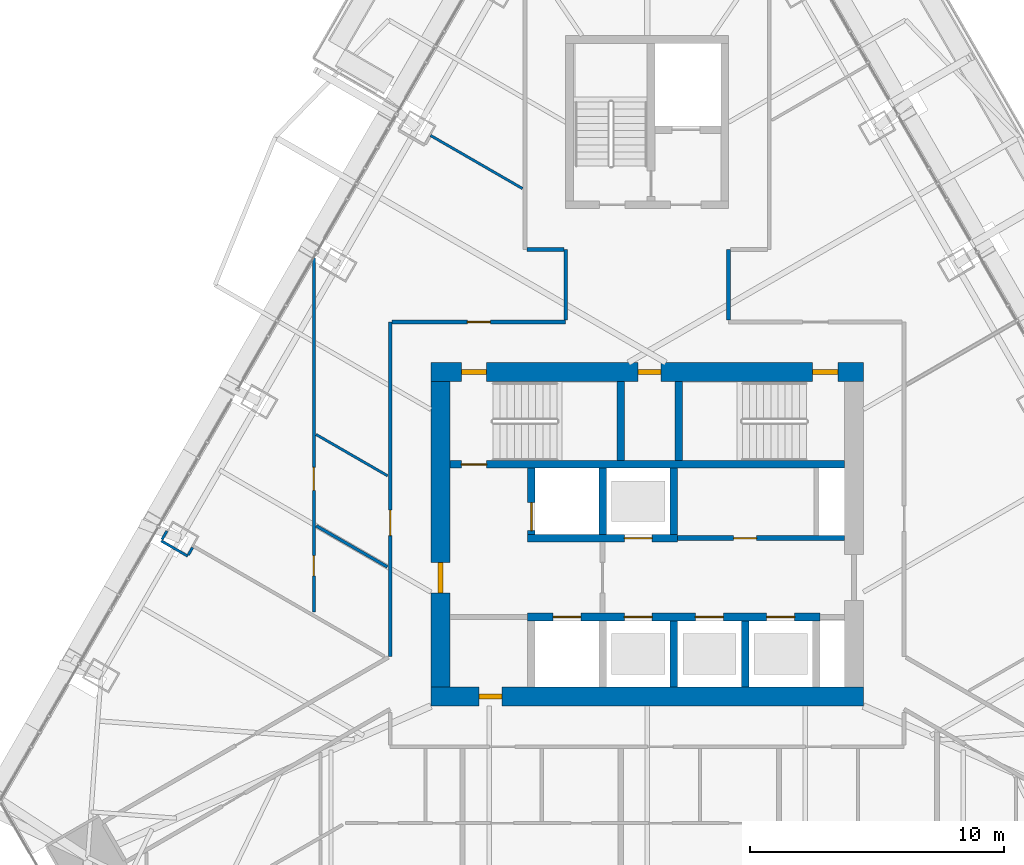
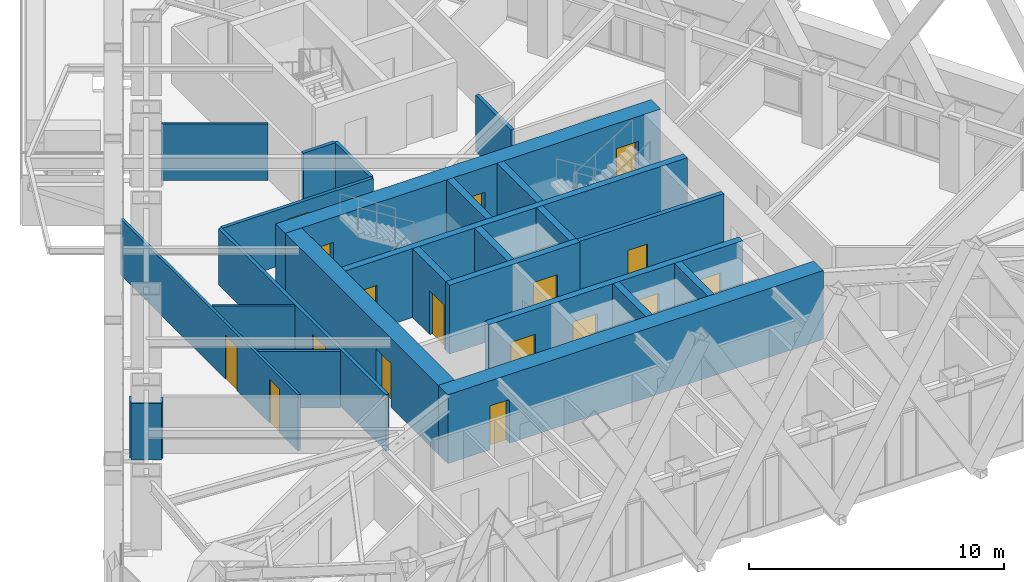
# One storey, part 18 of 23: 26 walls, 17 doors, 17 openings.
"""IFC4 building model written with IfcOpenShell, lengths in metres."""

from ifc_helpers import new_model, si_unit, direction, frame, frame_2d, origin, place, context, subcontext, project, spatial, rectangle, extrude, material, layer, layer_set, type_object, element, fill, save


model = new_model("IFC4")

# Units and contexts
model_context = context("Model", 3, precision=1e-05, world=origin(), true_north=direction((0.0, 1.0)))
body_context = subcontext(model_context, "Body", "Model", "MODEL_VIEW")
ifc_project = project(units=[si_unit("LENGTHUNIT", "METRE"), si_unit("AREAUNIT", "SQUARE_METRE"), si_unit("VOLUMEUNIT", "CUBIC_METRE"), si_unit("PLANEANGLEUNIT", "RADIAN"), si_unit("MASSUNIT", "GRAM", prefix="KILO")], contexts=[model_context])

# Site, building, storey
site_placement = place(None, origin())
site = spatial("IfcSite", under=ifc_project, at=site_placement, CompositionType="ELEMENT")
building_placement = place(site_placement, origin())
building = spatial("IfcBuilding", under=site, at=building_placement, Name="Firuza Gate Tower and Library", CompositionType="ELEMENT")
storey_placement = place(building_placement, frame((0.0, 0.0, 291.60009765625)))
storey = spatial("IfcBuildingStorey", under=building, at=storey_placement, Name="L70", CompositionType="ELEMENT", Elevation=291.60009765625)

# Wall, opening, door
ifc_material_1 = material(Name="Plasterboard on steel studs", Category="steel")
ifc_layer_1 = layer(ifc_material_1, 0.199951171875)
ifc_layer_set_1 = layer_set([ifc_layer_1], Name="Core partition 200 EI 120")
wall_type_1 = type_object("IfcWallType", Name="Core partition 200 EI 120", PredefinedType="PARTITIONING", material=ifc_layer_set_1)
wall_1_placement = place(storey_placement, frame((76.199951171875, 74.85009765625, 0.0), z_axis=(0.0, 0.0, 1.0), x_axis=(1.0, 0.0, 0.0)))
wall_1 = element("IfcWall", 1, at=wall_1_placement, inside=storey, type_object=wall_type_1, Name="Core partition L70 3", PredefinedType="PARTITIONING", context=body_context, shape_type="SweptSolid", body=[
    extrude(rectangle(XDim=6.550048828125, YDim=0.199951171875, at=frame_2d((3.27490234375, 0.0))), origin(), (0.0, 0.0, 1.0), 3.2998046875),
])
opening_1_placement = place(wall_1_placement, frame((2.199951171875, 0.0, 0.0)))
opening_1 = element("IfcOpeningElement", 2, at=opening_1_placement, cuts=wall_1, Name="Opening L70-K18", PredefinedType="OPENING", context=body_context, shape_type="SweptSolid", body=[
    extrude(rectangle(XDim=0.89990234375, YDim=2.10009765625, at=frame_2d((0.449951171875, 1.050048828125))), frame((0.0, 0.10986328125, 0.0), z_axis=(0.0, -1.0, 0.0), x_axis=(1.0, 0.0, 0.0)), (0.0, 0.0, 1.0), 0.219970703125),
])
ifc_material_2 = material(Name="Steel", Category="steel")
door_type_1 = type_object("IfcDoorType", Name="Fire door 900x2100 FD30S", OperationType="NOTDEFINED", PredefinedType="DOOR", material=ifc_material_2)
door_1_placement = place(opening_1_placement, origin())
door_1 = element("IfcDoor", 3, at=door_1_placement, inside=storey, type_object=door_type_1, Name="Door L70-K18", OperationType="SINGLE_SWING_LEFT", OverallHeight=2.10009765625, OverallWidth=0.89990234375, PredefinedType="DOOR", context=body_context, shape_type="SweptSolid", body=[
    extrude(rectangle(XDim=0.89990234375, YDim=2.10009765625, at=frame_2d((0.449951171875, 1.050048828125))), frame((0.0, 0.02490234375, 0.0), z_axis=(0.0, -1.0, 0.0), x_axis=(1.0, 0.0, 0.0)), (0.0, 0.0, 1.0), 0.050048828125),
])
fill(opening_1, door_1)

# Wall, openings, doors
ifc_material_3 = material(Name="Concrete C60/75", Category="concrete")
ifc_layer_2 = layer(ifc_material_3, 0.300048828125)
ifc_layer_set_2 = layer_set([ifc_layer_2], Name="Core wall 300 C60/75")
wall_type_2 = type_object("IfcWallType", Name="Core wall 300 C60/75", PredefinedType="SHEAR", material=ifc_layer_set_2)
wall_2_placement = place(storey_placement, frame((70.300048828125, 71.75, 0.0), z_axis=(0.0, 0.0, 1.0), x_axis=(1.0, 0.0, 0.0)))
wall_2 = element("IfcWall", 4, at=wall_2_placement, inside=storey, type_object=wall_type_2, Name="Core wall L70 5", PredefinedType="SHEAR", context=body_context, shape_type="SweptSolid", body=[
    extrude(rectangle(XDim=11.5, YDim=0.300048828125, at=frame_2d((5.75, 0.0))), origin(), (0.0, 0.0, 1.0), 3.2998046875),
])
opening_2_placement = place(wall_2_placement, frame((1.0, 0.0, 0.0)))
opening_2 = element("IfcOpeningElement", 5, at=opening_2_placement, cuts=wall_2, Name="Opening LD-FF1-L70", PredefinedType="OPENING", context=body_context, shape_type="SweptSolid", body=[
    extrude(rectangle(XDim=1.10009765625, YDim=2.10009765625, at=frame_2d((0.550048828125, 1.050048828125))), frame((0.0, 0.16015625, 0.0), z_axis=(0.0, -1.0, 0.0), x_axis=(1.0, 0.0, 0.0)), (0.0, 0.0, 1.0), 0.320068359375),
])
opening_3_placement = place(wall_2_placement, frame((3.800048828125, 0.0, 0.0)))
opening_3 = element("IfcOpeningElement", 6, at=opening_3_placement, cuts=wall_2, Name="Opening LD-HR1-L70", PredefinedType="OPENING", context=body_context, shape_type="SweptSolid", body=[
    extrude(rectangle(XDim=1.10009765625, YDim=2.10009765625, at=frame_2d((0.550048828125, 1.050048828125))), frame((0.0, 0.16015625, 0.0), z_axis=(0.0, -1.0, 0.0), x_axis=(1.0, 0.0, 0.0)), (0.0, 0.0, 1.0), 0.320068359375),
])
opening_4_placement = place(wall_2_placement, frame((6.60009765625, 0.0, 0.0)))
opening_4 = element("IfcOpeningElement", 7, at=opening_4_placement, cuts=wall_2, Name="Opening LD-HR2-L70", PredefinedType="OPENING", context=body_context, shape_type="SweptSolid", body=[
    extrude(rectangle(XDim=1.10009765625, YDim=2.10009765625, at=frame_2d((0.550048828125, 1.050048828125))), frame((0.0, 0.16015625, 0.0), z_axis=(0.0, -1.0, 0.0), x_axis=(1.0, 0.0, 0.0)), (0.0, 0.0, 1.0), 0.320068359375),
])
opening_5_placement = place(wall_2_placement, frame((9.39990234375, 0.0, 0.0)))
opening_5 = element("IfcOpeningElement", 8, at=opening_5_placement, cuts=wall_2, Name="Opening LD-HR3-L70", PredefinedType="OPENING", context=body_context, shape_type="SweptSolid", body=[
    extrude(rectangle(XDim=1.10009765625, YDim=2.10009765625, at=frame_2d((0.550048828125, 1.050048828125))), frame((0.0, 0.16015625, 0.0), z_axis=(0.0, -1.0, 0.0), x_axis=(1.0, 0.0, 0.0)), (0.0, 0.0, 1.0), 0.320068359375),
])
ifc_material_4 = material(Name="Stainless steel", Category="steel")
door_type_2 = type_object("IfcDoorType", Name="Lift landing door 1100x2100", OperationType="DOUBLE_DOOR_SLIDING", PredefinedType="DOOR", material=ifc_material_4)
door_2_placement = place(opening_2_placement, origin())
door_2 = element("IfcDoor", 9, at=door_2_placement, inside=storey, type_object=door_type_2, Name="Landing door FF1 L70", OperationType="DOUBLE_DOOR_SLIDING", OverallHeight=2.10009765625, OverallWidth=1.10009765625, PredefinedType="DOOR", context=body_context, shape_type="SweptSolid", body=[
    extrude(rectangle(XDim=1.10009765625, YDim=2.10009765625, at=frame_2d((0.550048828125, 1.050048828125))), frame((0.0, 0.02490234375, 0.0), z_axis=(0.0, -1.0, 0.0), x_axis=(1.0, 0.0, 0.0)), (0.0, 0.0, 1.0), 0.050048828125),
])
fill(opening_2, door_2)
door_3_placement = place(opening_3_placement, origin())
door_3 = element("IfcDoor", 10, at=door_3_placement, inside=storey, type_object=door_type_2, Name="Landing door HR1 L70", OperationType="DOUBLE_DOOR_SLIDING", OverallHeight=2.10009765625, OverallWidth=1.10009765625, PredefinedType="DOOR", context=body_context, shape_type="SweptSolid", body=[
    extrude(rectangle(XDim=1.10009765625, YDim=2.10009765625, at=frame_2d((0.550048828125, 1.050048828125))), frame((0.0, 0.02490234375, 0.0), z_axis=(0.0, -1.0, 0.0), x_axis=(1.0, 0.0, 0.0)), (0.0, 0.0, 1.0), 0.050048828125),
])
fill(opening_3, door_3)
door_4_placement = place(opening_4_placement, origin())
door_4 = element("IfcDoor", 11, at=door_4_placement, inside=storey, type_object=door_type_2, Name="Landing door HR2 L70", OperationType="DOUBLE_DOOR_SLIDING", OverallHeight=2.10009765625, OverallWidth=1.10009765625, PredefinedType="DOOR", context=body_context, shape_type="SweptSolid", body=[
    extrude(rectangle(XDim=1.10009765625, YDim=2.10009765625, at=frame_2d((0.550048828125, 1.050048828125))), frame((0.0, 0.02490234375, 0.0), z_axis=(0.0, -1.0, 0.0), x_axis=(1.0, 0.0, 0.0)), (0.0, 0.0, 1.0), 0.050048828125),
])
fill(opening_4, door_4)
door_5_placement = place(opening_5_placement, origin())
door_5 = element("IfcDoor", 12, at=door_5_placement, inside=storey, type_object=door_type_2, Name="Landing door HR3 L70", OperationType="DOUBLE_DOOR_SLIDING", OverallHeight=2.10009765625, OverallWidth=1.10009765625, PredefinedType="DOOR", context=body_context, shape_type="SweptSolid", body=[
    extrude(rectangle(XDim=1.10009765625, YDim=2.10009765625, at=frame_2d((0.550048828125, 1.050048828125))), frame((0.0, 0.02490234375, 0.0), z_axis=(0.0, -1.0, 0.0), x_axis=(1.0, 0.0, 0.0)), (0.0, 0.0, 1.0), 0.050048828125),
])
fill(opening_5, door_5)

# Wall, opening, door
wall_3_placement = place(storey_placement, frame((70.300048828125, 74.85009765625, 0.0), z_axis=(0.0, 0.0, 1.0), x_axis=(1.0, 0.0, 0.0)))
wall_3 = element("IfcWall", 13, at=wall_3_placement, inside=storey, type_object=wall_type_2, Name="Core wall L70 6", PredefinedType="SHEAR", context=body_context, shape_type="SweptSolid", body=[
    extrude(rectangle(XDim=5.89990234375, YDim=0.300048828125, at=frame_2d((2.949951171875, 0.0))), origin(), (0.0, 0.0, 1.0), 3.2998046875),
])
opening_6_placement = place(wall_3_placement, frame((3.800048828125, 0.0, 0.0)))
opening_6 = element("IfcOpeningElement", 14, at=opening_6_placement, cuts=wall_3, Name="Opening LD-HR4-L70", PredefinedType="OPENING", context=body_context, shape_type="SweptSolid", body=[
    extrude(rectangle(XDim=1.10009765625, YDim=2.10009765625, at=frame_2d((0.550048828125, 1.050048828125))), frame((0.0, 0.16015625, 0.0), z_axis=(0.0, -1.0, 0.0), x_axis=(1.0, 0.0, 0.0)), (0.0, 0.0, 1.0), 0.320068359375),
])
door_6_placement = place(opening_6_placement, origin())
door_6 = element("IfcDoor", 15, at=door_6_placement, inside=storey, type_object=door_type_2, Name="Landing door HR4 L70", OperationType="DOUBLE_DOOR_SLIDING", OverallHeight=2.10009765625, OverallWidth=1.10009765625, PredefinedType="DOOR", context=body_context, shape_type="SweptSolid", body=[
    extrude(rectangle(XDim=1.10009765625, YDim=2.10009765625, at=frame_2d((0.550048828125, 1.050048828125))), frame((0.0, 0.02490234375, 0.0), z_axis=(0.0, -1.0, 0.0), x_axis=(1.0, 0.0, 0.0)), (0.0, 0.0, 1.0), 0.050048828125),
])
fill(opening_6, door_6)

wall_4_placement = place(storey_placement, frame((70.449951171875, 75.0, 0.0), z_axis=(0.0, 0.0, 1.0), x_axis=(0.0, 1.0, 0.0)))
wall_4 = element("IfcWall", 16, at=wall_4_placement, inside=storey, type_object=wall_type_2, Name="Core wall L70 8", PredefinedType="SHEAR", context=body_context, shape_type="SweptSolid", body=[
    extrude(rectangle(XDim=2.60009765625, YDim=0.300048828125, at=frame_2d((1.300048828125, 0.0))), origin(), (0.0, 0.0, 1.0), 3.2998046875),
])
opening_7_placement = place(wall_4_placement, frame((0.14990234375, 0.0, 0.0)))
opening_7 = element("IfcOpeningElement", 17, at=opening_7_placement, cuts=wall_4, Name="Opening LD-FF2-L70", PredefinedType="OPENING", context=body_context, shape_type="SweptSolid", body=[
    extrude(rectangle(XDim=1.10009765625, YDim=2.10009765625, at=frame_2d((0.550048828125, 1.050048828125))), frame((0.0, 0.16015625, 0.0), z_axis=(0.0, -1.0, 0.0), x_axis=(1.0, 0.0, 0.0)), (0.0, 0.0, 1.0), 0.320068359375),
])
door_7_placement = place(opening_7_placement, origin())
door_7 = element("IfcDoor", 18, at=door_7_placement, inside=storey, type_object=door_type_2, Name="Landing door FF2 L70", OperationType="DOUBLE_DOOR_SLIDING", OverallHeight=2.10009765625, OverallWidth=1.10009765625, PredefinedType="DOOR", context=body_context, shape_type="SweptSolid", body=[
    extrude(rectangle(XDim=1.10009765625, YDim=2.10009765625, at=frame_2d((0.550048828125, 1.050048828125))), frame((0.0, 0.02490234375, 0.0), z_axis=(0.0, -1.0, 0.0), x_axis=(1.0, 0.0, 0.0)), (0.0, 0.0, 1.0), 0.050048828125),
])
fill(opening_7, door_7)

# Walls
for number, where, z_axis, x_axis, name in (
    (19, (73.25, 75.0, 0.0), (0.0, 0.0, 1.0), (0.0, 1.0, 0.0), "Core wall L70 10"),
    (20, (76.050048828125, 69.0, 0.0), (0.0, 0.0, 1.0), (0.0, 1.0, 0.0), "Core wall L70 11"),
    (21, (76.050048828125, 75.0, 0.0), (0.0, 0.0, 1.0), (0.0, 1.0, 0.0), "Core wall L70 12"),
    (22, (78.85009765625, 69.0, 0.0), (0.0, 0.0, 1.0), (0.0, 1.0, 0.0), "Core wall L70 13"),
):
    element("IfcWall", number, at=place(storey_placement, frame(where, z_axis=z_axis, x_axis=x_axis)), inside=storey, type_object=wall_type_2, Name=name, PredefinedType="SHEAR", context=body_context, shape_type="SweptSolid", body=[
        extrude(rectangle(XDim=2.60009765625, YDim=0.300048828125, at=frame_2d((1.300048828125, 0.0))), origin(), (0.0, 0.0, 1.0), 3.2998046875),
    ])

# Wall, opening, door
wall_5_placement = place(storey_placement, frame((67.25, 77.75, 0.0), z_axis=(0.0, 0.0, 1.0), x_axis=(1.0, 0.0, 0.0)))
wall_5 = element("IfcWall", 23, at=wall_5_placement, inside=storey, type_object=wall_type_2, Name="Core wall L70 15", PredefinedType="SHEAR", context=body_context, shape_type="SweptSolid", body=[
    extrude(rectangle(XDim=15.5, YDim=0.300048828125, at=frame_2d((7.75, 0.0))), origin(), (0.0, 0.0, 1.0), 3.2998046875),
])
opening_8_placement = place(wall_5_placement, frame((0.445068359375, 0.0, 0.0)))
opening_8 = element("IfcOpeningElement", 24, at=opening_8_placement, cuts=wall_5, Name="Opening L70-K08", PredefinedType="OPENING", context=body_context, shape_type="SweptSolid", body=[
    extrude(rectangle(XDim=1.0, YDim=2.10009765625, at=frame_2d((0.5, 1.050048828125))), frame((0.0, 0.16015625, 0.0), z_axis=(0.0, -1.0, 0.0), x_axis=(1.0, 0.0, 0.0)), (0.0, 0.0, 1.0), 0.320068359375),
])
ifc_material_5 = material(Name="Steel", Category="steel")
door_type_3 = type_object("IfcDoorType", Name="Fire door 1000x2100 FD90", OperationType="NOTDEFINED", PredefinedType="DOOR", material=ifc_material_5)
door_8_placement = place(opening_8_placement, origin())
door_8 = element("IfcDoor", 25, at=door_8_placement, inside=storey, type_object=door_type_3, Name="Door L70-K08", OperationType="SINGLE_SWING_LEFT", OverallHeight=2.10009765625, OverallWidth=1.0, PredefinedType="DOOR", context=body_context, shape_type="SweptSolid", body=[
    extrude(rectangle(XDim=1.0, YDim=2.10009765625, at=frame_2d((0.5, 1.050048828125))), frame((0.0, 0.02490234375, 0.0), z_axis=(0.0, -1.0, 0.0), x_axis=(1.0, 0.0, 0.0)), (0.0, 0.0, 1.0), 0.050048828125),
])
fill(opening_8, door_8)

# Walls
for number, where, z_axis, x_axis, name in (
    (26, (73.9599609375, 77.89990234375, 0.0), (0.0, 0.0, 1.0), (0.0, 1.0, 0.0), "Core wall L70 16"),
    (27, (76.239990234375, 77.89990234375, 0.0), (0.0, 0.0, 1.0), (0.0, 1.0, 0.0), "Core wall L70 17"),
):
    element("IfcWall", number, at=place(storey_placement, frame(where, z_axis=z_axis, x_axis=x_axis)), inside=storey, type_object=wall_type_2, Name=name, PredefinedType="SHEAR", context=body_context, shape_type="SweptSolid", body=[
        extrude(rectangle(XDim=3.10009765625, YDim=0.300048828125, at=frame_2d((1.550048828125, 0.0))), origin(), (0.0, 0.0, 1.0), 3.2998046875),
    ])

# Wall, opening, door
ifc_material_6 = material(Name="Concrete C60/75", Category="concrete")
ifc_layer_3 = layer(ifc_material_6, 0.75)
ifc_layer_set_3 = layer_set([ifc_layer_3], Name="Core wall 750 C60/75")
wall_type_3 = type_object("IfcWallType", Name="Core wall 750 C60/75", PredefinedType="SHEAR", material=ifc_layer_set_3)
wall_6_placement = place(storey_placement, frame((66.5, 68.625, 0.0), z_axis=(0.0, 0.0, 1.0), x_axis=(1.0, 0.0, 0.0)))
wall_6 = element("IfcWall", 28, at=wall_6_placement, inside=storey, type_object=wall_type_3, Name="Core wall L70 1", PredefinedType="SHEAR", context=body_context, shape_type="SweptSolid", body=[
    extrude(rectangle(XDim=17.0, YDim=0.75, at=frame_2d((8.5, 0.0))), origin(), (0.0, 0.0, 1.0), 3.2998046875),
])
opening_9_placement = place(wall_6_placement, frame((1.89990234375, 0.0, 0.0)))
opening_9 = element("IfcOpeningElement", 29, at=opening_9_placement, cuts=wall_6, Name="Opening L70-K17", PredefinedType="OPENING", context=body_context, shape_type="SweptSolid", body=[
    extrude(rectangle(XDim=0.89990234375, YDim=2.10009765625, at=frame_2d((0.449951171875, 1.050048828125))), frame((0.0, 0.385009765625, 0.0), z_axis=(0.0, -1.0, 0.0), x_axis=(1.0, 0.0, 0.0)), (0.0, 0.0, 1.0), 0.77001953125),
])
door_9_placement = place(opening_9_placement, origin())
door_9 = element("IfcDoor", 30, at=door_9_placement, inside=storey, type_object=door_type_1, Name="Door L70-K17", OperationType="SINGLE_SWING_RIGHT", OverallHeight=2.10009765625, OverallWidth=0.89990234375, PredefinedType="DOOR", context=body_context, shape_type="SweptSolid", body=[
    extrude(rectangle(XDim=0.89990234375, YDim=2.10009765625, at=frame_2d((0.449951171875, 1.050048828125))), frame((0.0, 0.094970703125, 0.0), z_axis=(0.0, -1.0, 0.0), x_axis=(1.0, 0.0, 0.0)), (0.0, 0.0, 1.0), 0.18994140625),
])
fill(opening_9, door_9)

# Wall, openings, doors
wall_7_placement = place(storey_placement, frame((66.5, 81.375, 0.0), z_axis=(0.0, 0.0, 1.0), x_axis=(1.0, 0.0, 0.0)))
wall_7 = element("IfcWall", 31, at=wall_7_placement, inside=storey, type_object=wall_type_3, Name="Core wall L70 2", PredefinedType="SHEAR", context=body_context, shape_type="SweptSolid", body=[
    extrude(rectangle(XDim=17.0, YDim=0.75, at=frame_2d((8.5, 0.0))), origin(), (0.0, 0.0, 1.0), 3.2998046875),
])
opening_10_placement = place(wall_7_placement, frame((1.195068359375, 0.0, 0.0)))
opening_10 = element("IfcOpeningElement", 32, at=opening_10_placement, cuts=wall_7, Name="Opening L70-K09", PredefinedType="OPENING", context=body_context, shape_type="SweptSolid", body=[
    extrude(rectangle(XDim=1.0, YDim=2.10009765625, at=frame_2d((0.5, 1.050048828125))), frame((0.0, 0.385009765625, 0.0), z_axis=(0.0, -1.0, 0.0), x_axis=(1.0, 0.0, 0.0)), (0.0, 0.0, 1.0), 0.77001953125),
])
opening_11_placement = place(wall_7_placement, frame((15.0048828125, 0.0, 0.0)))
opening_11 = element("IfcOpeningElement", 33, at=opening_11_placement, cuts=wall_7, Name="Opening L70-K10", PredefinedType="OPENING", context=body_context, shape_type="SweptSolid", body=[
    extrude(rectangle(XDim=1.0, YDim=2.10009765625, at=frame_2d((0.5, 1.050048828125))), frame((0.0, 0.385009765625, 0.0), z_axis=(0.0, -1.0, 0.0), x_axis=(1.0, 0.0, 0.0)), (0.0, 0.0, 1.0), 0.77001953125),
])
opening_12_placement = place(wall_7_placement, frame((8.14990234375, 0.0, 0.0)))
opening_12 = element("IfcOpeningElement", 34, at=opening_12_placement, cuts=wall_7, Name="Opening L70-K19", PredefinedType="OPENING", context=body_context, shape_type="SweptSolid", body=[
    extrude(rectangle(XDim=0.89990234375, YDim=2.10009765625, at=frame_2d((0.449951171875, 1.050048828125))), frame((0.0, 0.385009765625, 0.0), z_axis=(0.0, -1.0, 0.0), x_axis=(1.0, 0.0, 0.0)), (0.0, 0.0, 1.0), 0.77001953125),
])
door_10_placement = place(opening_10_placement, origin())
door_10 = element("IfcDoor", 35, at=door_10_placement, inside=storey, type_object=door_type_3, Name="Door L70-K09", OperationType="SINGLE_SWING_RIGHT", OverallHeight=2.10009765625, OverallWidth=1.0, PredefinedType="DOOR", context=body_context, shape_type="SweptSolid", body=[
    extrude(rectangle(XDim=1.0, YDim=2.10009765625, at=frame_2d((0.5, 1.050048828125))), frame((0.0, 0.094970703125, 0.0), z_axis=(0.0, -1.0, 0.0), x_axis=(1.0, 0.0, 0.0)), (0.0, 0.0, 1.0), 0.18994140625),
])
fill(opening_10, door_10)
door_11_placement = place(opening_11_placement, origin())
door_11 = element("IfcDoor", 36, at=door_11_placement, inside=storey, type_object=door_type_3, Name="Door L70-K10", OperationType="SINGLE_SWING_LEFT", OverallHeight=2.10009765625, OverallWidth=1.0, PredefinedType="DOOR", context=body_context, shape_type="SweptSolid", body=[
    extrude(rectangle(XDim=1.0, YDim=2.10009765625, at=frame_2d((0.5, 1.050048828125))), frame((0.0, 0.094970703125, 0.0), z_axis=(0.0, -1.0, 0.0), x_axis=(1.0, 0.0, 0.0)), (0.0, 0.0, 1.0), 0.18994140625),
])
fill(opening_11, door_11)
door_12_placement = place(opening_12_placement, origin())
door_12 = element("IfcDoor", 37, at=door_12_placement, inside=storey, type_object=door_type_1, Name="Door L70-K19", OperationType="SINGLE_SWING_RIGHT", OverallHeight=2.10009765625, OverallWidth=0.89990234375, PredefinedType="DOOR", context=body_context, shape_type="SweptSolid", body=[
    extrude(rectangle(XDim=0.89990234375, YDim=2.10009765625, at=frame_2d((0.449951171875, 1.050048828125))), frame((0.0, 0.094970703125, 0.0), z_axis=(0.0, -1.0, 0.0), x_axis=(1.0, 0.0, 0.0)), (0.0, 0.0, 1.0), 0.18994140625),
])
fill(opening_12, door_12)

# Wall, opening, door
wall_8_placement = place(storey_placement, frame((66.875, 69.0, 0.0), z_axis=(0.0, 0.0, 1.0), x_axis=(0.0, 1.0, 0.0)))
wall_8 = element("IfcWall", 38, at=wall_8_placement, inside=storey, type_object=wall_type_3, Name="Core wall L70 3", PredefinedType="SHEAR", context=body_context, shape_type="SweptSolid", body=[
    extrude(rectangle(XDim=12.0, YDim=0.75, at=frame_2d((6.0, 0.0))), origin(), (0.0, 0.0, 1.0), 3.2998046875),
])
opening_13_placement = place(wall_8_placement, frame((3.699951171875, 0.0, 0.0)))
opening_13 = element("IfcOpeningElement", 39, at=opening_13_placement, cuts=wall_8, Name="Opening L70-K15", PredefinedType="OPENING", context=body_context, shape_type="SweptSolid", body=[
    extrude(rectangle(XDim=1.199951171875, YDim=2.10009765625, at=frame_2d((0.60009765625, 1.050048828125))), frame((0.0, 0.385009765625, 0.0), z_axis=(0.0, -1.0, 0.0), x_axis=(1.0, 0.0, 0.0)), (0.0, 0.0, 1.0), 0.77001953125),
])
ifc_material_7 = material(Name="Steel", Category="steel")
door_type_4 = type_object("IfcDoorType", Name="Fire door 1200x2100 FD90S", OperationType="NOTDEFINED", PredefinedType="DOOR", material=ifc_material_7)
door_13_placement = place(opening_13_placement, origin())
door_13 = element("IfcDoor", 40, at=door_13_placement, inside=storey, type_object=door_type_4, Name="Door L70-K15", OperationType="SINGLE_SWING_RIGHT", OverallHeight=2.10009765625, OverallWidth=1.199951171875, PredefinedType="DOOR", context=body_context, shape_type="SweptSolid", body=[
    extrude(rectangle(XDim=1.199951171875, YDim=2.10009765625, at=frame_2d((0.60009765625, 1.050048828125))), frame((0.0, 0.094970703125, 0.0), z_axis=(0.0, -1.0, 0.0), x_axis=(1.0, 0.0, 0.0)), (0.0, 0.0, 1.0), 0.18994140625),
])
fill(opening_13, door_13)

ifc_material_8 = material(Name="Gypsum board partition")
ifc_layer_4 = layer(ifc_material_8, 0.14990234375)
ifc_layer_set_4 = layer_set([ifc_layer_4], Name="Corridor wall 150 double board on steel studs")
wall_type_4 = type_object("IfcWallType", Name="Corridor wall 150 double board on steel studs", PredefinedType="PARTITIONING", material=ifc_layer_set_4)
wall_9_placement = place(storey_placement, frame((64.97705078125, 83.35009765625, 0.0), z_axis=(0.0, 0.0, 1.0), x_axis=(1.0, 0.0, 0.0)))
wall_9 = element("IfcWall", 41, at=wall_9_placement, inside=storey, type_object=wall_type_4, Name="f:L70:w002", PredefinedType="PARTITIONING", context=body_context, shape_type="SweptSolid", body=[
    extrude(rectangle(XDim=6.822998046875, YDim=0.14990234375, at=frame_2d((3.41162109375, 0.0))), origin(), (0.0, 0.0, 1.0), 2.699951171875),
])
opening_14_placement = place(wall_9_placement, frame((2.96142578125, 0.0, 0.0)))
opening_14 = element("IfcOpeningElement", 42, at=opening_14_placement, cuts=wall_9, Name="Opening L70-12", PredefinedType="OPENING", context=body_context, shape_type="SweptSolid", body=[
    extrude(rectangle(XDim=0.89990234375, YDim=2.10009765625, at=frame_2d((0.449951171875, 1.050048828125))), frame((0.0, 0.0849609375, 0.0), z_axis=(0.0, -1.0, 0.0), x_axis=(1.0, 0.0, 0.0)), (0.0, 0.0, 1.0), 0.169921875),
])
ifc_material_9 = material(Name="Steel door and timber leaf", Category="steel")
door_type_5 = type_object("IfcDoorType", Name="Fire door 900 x 2100 steel frame, timber leaf", OperationType="NOTDEFINED", PredefinedType="DOOR", material=ifc_material_9)
door_14_placement = place(opening_14_placement, origin())
door_14 = element("IfcDoor", 43, at=door_14_placement, inside=storey, type_object=door_type_5, Name="f:L70:d012", OperationType="SINGLE_SWING_RIGHT", OverallHeight=2.10009765625, OverallWidth=0.89990234375, PredefinedType="DOOR", context=body_context, shape_type="SweptSolid", body=[
    extrude(rectangle(XDim=0.89990234375, YDim=2.10009765625, at=frame_2d((0.449951171875, 1.050048828125))), frame((0.0, 0.02490234375, 0.0), z_axis=(0.0, -1.0, 0.0), x_axis=(1.0, 0.0, 0.0)), (0.0, 0.0, 1.0), 0.050048828125),
])
fill(opening_14, door_14)

# Walls
wall_10_placement = place(storey_placement, frame((70.277099609375, 86.199951171875, 0.0), z_axis=(0.0, 0.0, 1.0), x_axis=(1.0, 0.0, 0.0)))
element("IfcWall", 44, at=wall_10_placement, inside=storey, type_object=wall_type_4, Name="f:L70:w004", PredefinedType="PARTITIONING", context=body_context, shape_type="SweptSolid", body=[
    extrude(rectangle(XDim=1.44775390625, YDim=0.14990234375, at=frame_2d((0.723876953125, 0.0))), origin(), (0.0, 0.0, 1.0), 2.699951171875),
])
for number, where, z_axis, x_axis, name in (
    (45, (78.199951171875, 83.425048828125, 0.0), (0.0, 0.0, 1.0), (0.0, 1.0, 0.0), "f:L70:w031"),
    (46, (71.800048828125, 83.425048828125, 0.0), (0.0, 0.0, 1.0), (0.0, 1.0, 0.0), "f:L70:w038"),
):
    element("IfcWall", number, at=place(storey_placement, frame(where, z_axis=z_axis, x_axis=x_axis)), inside=storey, type_object=wall_type_4, Name=name, PredefinedType="PARTITIONING", context=body_context, shape_type="SweptSolid", body=[
        extrude(rectangle(XDim=2.77490234375, YDim=0.14990234375, at=frame_2d((1.387451171875, 0.0))), origin(), (0.0, 0.0, 1.0), 2.697021484375),
    ])

# Wall, opening, door
wall_11_placement = place(storey_placement, frame((64.89990234375, 70.2080078125, 0.0), z_axis=(0.0, 0.0, 1.0), x_axis=(0.0, 1.0, 0.0)))
wall_11 = element("IfcWall", 47, at=wall_11_placement, inside=storey, type_object=wall_type_4, Name="f:L70:w044", PredefinedType="PARTITIONING", context=body_context, shape_type="SweptSolid", body=[
    extrude(rectangle(XDim=13.139892578125, YDim=0.14990234375, at=frame_2d((6.56982421875, 0.0))), origin(), (0.0, 0.0, 1.0), 2.699951171875),
])
opening_15_placement = place(wall_11_placement, frame((4.74267578125, 0.0, 0.0)))
opening_15 = element("IfcOpeningElement", 48, at=opening_15_placement, cuts=wall_11, Name="Opening L70-20", PredefinedType="OPENING", context=body_context, shape_type="SweptSolid", body=[
    extrude(rectangle(XDim=1.0, YDim=2.10009765625, at=frame_2d((0.5, 1.050048828125))), frame((0.0, 0.0849609375, 0.0), z_axis=(0.0, -1.0, 0.0), x_axis=(1.0, 0.0, 0.0)), (0.0, 0.0, 1.0), 0.169921875),
])
ifc_material_10 = material(Name="Steel door and timber leaf", Category="steel")
door_type_6 = type_object("IfcDoorType", Name="Fire door 1000 x 2100 steel frame, timber leaf", OperationType="NOTDEFINED", PredefinedType="DOOR", material=ifc_material_10)
door_15_placement = place(opening_15_placement, origin())
door_15 = element("IfcDoor", 49, at=door_15_placement, inside=storey, type_object=door_type_6, Name="f:L70:d020", OperationType="SINGLE_SWING_RIGHT", OverallHeight=2.10009765625, OverallWidth=1.0, PredefinedType="DOOR", context=body_context, shape_type="SweptSolid", body=[
    extrude(rectangle(XDim=1.0, YDim=2.10009765625, at=frame_2d((0.5, 1.050048828125))), frame((0.0, 0.02490234375, 0.0), z_axis=(0.0, -1.0, 0.0), x_axis=(1.0, 0.0, 0.0)), (0.0, 0.0, 1.0), 0.050048828125),
])
fill(opening_15, door_15)

# Walls
ifc_material_11 = material(Name="Gypsum board partition")
ifc_layer_5 = layer(ifc_material_11, 0.10009765625)
ifc_layer_set_5 = layer_set([ifc_layer_5], Name="Partition 100 gypsum board on steel studs")
wall_type_5 = type_object("IfcWallType", Name="Partition 100 gypsum board on steel studs", PredefinedType="PARTITIONING", material=ifc_layer_set_5)
wall_12_placement = place(storey_placement, frame((56.96630859375, 74.188720703125, 0.0), z_axis=(0.0, 0.0, 1.0), x_axis=(0.499930013145, 0.866065806944, 0.0)))
element("IfcWall", 50, at=wall_12_placement, inside=storey, type_object=wall_type_5, Name="f:L70:w019", PredefinedType="PARTITIONING", context=body_context, shape_type="SweptSolid", body=[
    extrude(rectangle(XDim=0.33935546875, YDim=0.10009765625, at=frame_2d((0.169677734375, 0.0))), origin(), (0.0, 0.0, 1.0), 2.699951171875),
])
wall_13_placement = place(storey_placement, frame((55.930419921875, 74.794189453125, 0.0), z_axis=(0.0, 0.0, 1.0), x_axis=(0.500080938595, 0.865978668822, 0.0)))
element("IfcWall", 51, at=wall_13_placement, inside=storey, type_object=wall_type_5, Name="f:L70:w021", PredefinedType="PARTITIONING", context=body_context, shape_type="SweptSolid", body=[
    extrude(rectangle(XDim=0.39306640625, YDim=0.10009765625, at=frame_2d((0.196533203125, 0.0))), origin(), (0.0, 0.0, 1.0), 2.699951171875),
])
wall_14_placement = place(storey_placement, frame((70.09912109375, 88.591552734375, 0.0), z_axis=(0.0, 0.0, 1.0), x_axis=(-0.866045268016, 0.499965592563, 0.0)))
element("IfcWall", 52, at=wall_14_placement, inside=storey, type_object=wall_type_5, Name="f:L70:w050", PredefinedType="PARTITIONING", context=body_context, shape_type="SweptSolid", body=[
    extrude(rectangle(XDim=4.172119140625, YDim=0.10009765625, at=frame_2d((2.0859375, 0.0))), origin(), (0.0, 0.0, 1.0), 2.699951171875),
])
wall_15_placement = place(storey_placement, frame((64.798828125, 77.302001953125, 0.0), z_axis=(0.0, 0.0, 1.0), x_axis=(-0.866000336211, 0.500043415797, 0.0)))
element("IfcWall", 53, at=wall_15_placement, inside=storey, type_object=wall_type_5, Name="f:L70:w054", PredefinedType="PARTITIONING", context=body_context, shape_type="SweptSolid", body=[
    extrude(rectangle(XDim=3.248291015625, YDim=0.10009765625, at=frame_2d((1.6240234375, 0.0))), origin(), (0.0, 0.0, 1.0), 2.699951171875),
])
wall_16_placement = place(storey_placement, frame((56.9404296875, 74.1455078125, 0.0), z_axis=(0.0, 0.0, 1.0), x_axis=(-0.86611778647, 0.499839954345, 0.0)))
element("IfcWall", 54, at=wall_16_placement, inside=storey, type_object=wall_type_5, Name="f:L70:w059", PredefinedType="PARTITIONING", context=body_context, shape_type="SweptSolid", body=[
    extrude(rectangle(XDim=1.19921875, YDim=0.10009765625, at=frame_2d((0.599609375, 0.0))), origin(), (0.0, 0.0, 1.0), 2.699951171875),
])

# Wall, openings, doors
ifc_material_12 = material(Name="Gypsum board partition")
ifc_layer_6 = layer(ifc_material_12, 0.1201171875)
ifc_layer_set_6 = layer_set([ifc_layer_6], Name="Wet-area partition 120 moisture-resistant board")
wall_type_6 = type_object("IfcWallType", Name="Wet-area partition 120 moisture-resistant board", PredefinedType="PARTITIONING", material=ifc_layer_set_6)
wall_17_placement = place(storey_placement, frame((61.89990234375, 85.85498046875, 0.0), z_axis=(0.0, 0.0, 1.0), x_axis=(0.0, -1.0, 0.0)))
wall_17 = element("IfcWall", 55, at=wall_17_placement, inside=storey, type_object=wall_type_6, Name="f:L70:w046", PredefinedType="PARTITIONING", context=body_context, shape_type="SweptSolid", body=[
    extrude(rectangle(XDim=13.9150390625, YDim=0.1201171875, at=frame_2d((6.95751953125, 0.0))), origin(), (0.0, 0.0, 1.0), 2.68798828125),
])
opening_16_placement = place(wall_17_placement, frame((8.22412109375, 0.0, 0.0)))
opening_16 = element("IfcOpeningElement", 56, at=opening_16_placement, cuts=wall_17, Name="Opening L70-22", PredefinedType="OPENING", context=body_context, shape_type="SweptSolid", body=[
    extrude(rectangle(XDim=0.89990234375, YDim=2.10009765625, at=frame_2d((0.449951171875, 1.050048828125))), frame((0.0, 0.070068359375, 0.0), z_axis=(0.0, -1.0, 0.0), x_axis=(1.0, 0.0, 0.0)), (0.0, 0.0, 1.0), 0.14013671875),
])
opening_17_placement = place(wall_17_placement, frame((11.6904296875, 0.0, 0.0)))
opening_17 = element("IfcOpeningElement", 57, at=opening_17_placement, cuts=wall_17, Name="Opening L70-23", PredefinedType="OPENING", context=body_context, shape_type="SweptSolid", body=[
    extrude(rectangle(XDim=0.800048828125, YDim=2.10009765625, at=frame_2d((0.39990234375, 1.050048828125))), frame((0.0, 0.070068359375, 0.0), z_axis=(0.0, -1.0, 0.0), x_axis=(1.0, 0.0, 0.0)), (0.0, 0.0, 1.0), 0.14013671875),
])
ifc_material_13 = material(Name="Timber door", Category="wood")
door_type_7 = type_object("IfcDoorType", Name="Door 800 x 2100 timber leaf", OperationType="NOTDEFINED", PredefinedType="DOOR", material=ifc_material_13)
door_16_placement = place(opening_17_placement, origin())
door_16 = element("IfcDoor", 58, at=door_16_placement, inside=storey, type_object=door_type_7, Name="f:L70:d023", OperationType="SINGLE_SWING_RIGHT", OverallHeight=2.10009765625, OverallWidth=0.800048828125, PredefinedType="DOOR", context=body_context, shape_type="SweptSolid", body=[
    extrude(rectangle(XDim=0.800048828125, YDim=2.10009765625, at=frame_2d((0.39990234375, 1.050048828125))), frame((0.0, 0.02490234375, 0.0), z_axis=(0.0, -1.0, 0.0), x_axis=(1.0, 0.0, 0.0)), (0.0, 0.0, 1.0), 0.050048828125),
])
fill(opening_17, door_16)
ifc_material_14 = material(Name="Timber door", Category="wood")
door_type_8 = type_object("IfcDoorType", Name="Door 900 x 2100 timber leaf", OperationType="NOTDEFINED", PredefinedType="DOOR", material=ifc_material_14)
door_17_placement = place(opening_16_placement, origin())
door_17 = element("IfcDoor", 59, at=door_17_placement, inside=storey, type_object=door_type_8, Name="f:L70:d022", OperationType="SINGLE_SWING_RIGHT", OverallHeight=2.10009765625, OverallWidth=0.89990234375, PredefinedType="DOOR", context=body_context, shape_type="SweptSolid", body=[
    extrude(rectangle(XDim=0.89990234375, YDim=2.10009765625, at=frame_2d((0.449951171875, 1.050048828125))), frame((0.0, 0.02490234375, 0.0), z_axis=(0.0, -1.0, 0.0), x_axis=(1.0, 0.0, 0.0)), (0.0, 0.0, 1.0), 0.050048828125),
])
fill(opening_16, door_17)

# Wall
wall_18_placement = place(storey_placement, frame((64.79052734375, 73.720458984375, 0.0), z_axis=(0.0, 0.0, 1.0), x_axis=(-0.866033195618, 0.499986503906, 0.0)))
element("IfcWall", 60, at=wall_18_placement, inside=storey, type_object=wall_type_6, Name="f:L70:w057", PredefinedType="PARTITIONING", context=body_context, shape_type="SweptSolid", body=[
    extrude(rectangle(XDim=3.22802734375, YDim=0.1201171875, at=frame_2d((1.614013671875, 0.0))), origin(), (0.0, 0.0, 1.0), 2.699951171875),
])

save(model, "model.ifc")
